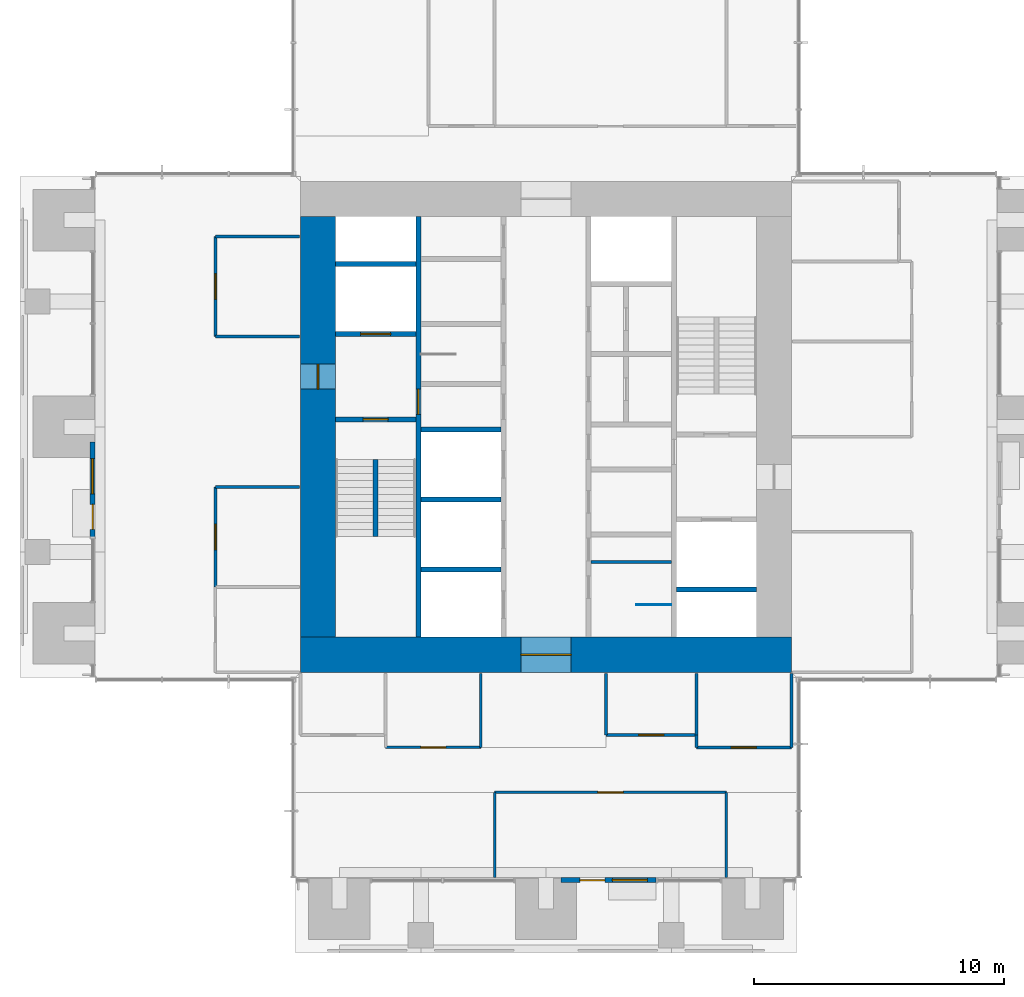
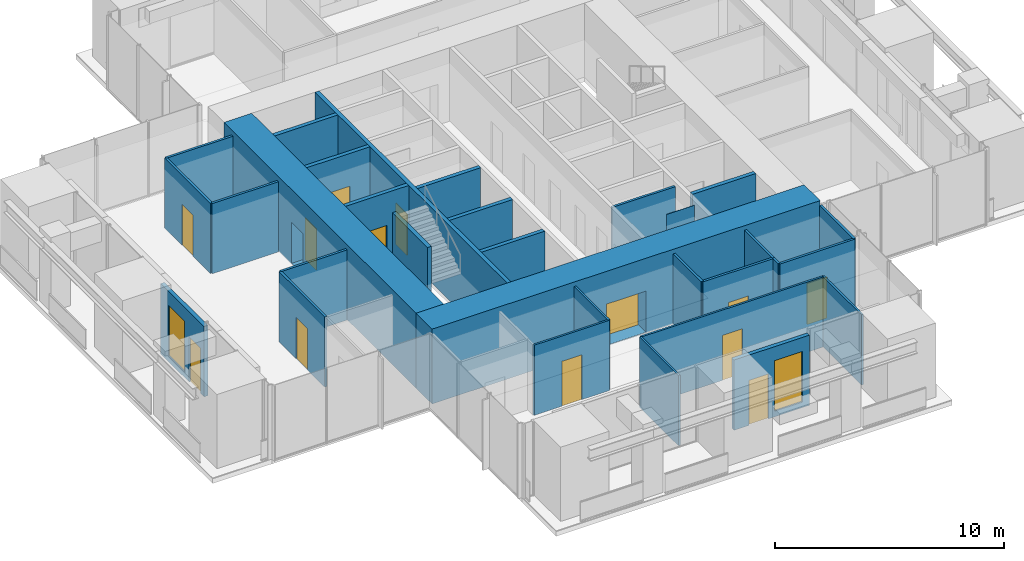
# One storey, part 12 of 17: 31 walls, 13 doors, 2 windows, 15 openings.
"""IFC4 building model written with IfcOpenShell, lengths in metres."""

from ifc_helpers import new_model, si_unit, direction, frame, frame_2d, origin, place, context, subcontext, project, spatial, rectangle, extrude, material, layer, layer_set, type_object, element, fill, save


model = new_model("IFC4")

# Units and contexts
model_context = context("Model", 3, precision=1e-05, world=origin(), true_north=direction((0.0, 1.0)))
body_context = subcontext(model_context, "Body", "Model", "MODEL_VIEW")
ifc_project = project(units=[si_unit("LENGTHUNIT", "METRE"), si_unit("AREAUNIT", "SQUARE_METRE"), si_unit("VOLUMEUNIT", "CUBIC_METRE"), si_unit("PLANEANGLEUNIT", "RADIAN"), si_unit("MASSUNIT", "GRAM", prefix="KILO")], contexts=[model_context])

# Site, building, storey
site_placement = place(None, origin())
site = spatial("IfcSite", under=ifc_project, at=site_placement, CompositionType="ELEMENT")
building_placement = place(site_placement, origin())
building = spatial("IfcBuilding", under=site, at=building_placement, Name="Svetlomir Tower", CompositionType="ELEMENT")
storey_placement = place(building_placement, frame((0.0, 0.0, 194.5)))
storey = spatial("IfcBuildingStorey", under=building, at=storey_placement, Name="L46", CompositionType="ELEMENT", Elevation=194.5)

# Wall, openings, door, window
ifc_material_1 = material(Name="Bronze anodised aluminium glazed screen", Category="aluminium")
ifc_layer_1 = layer(ifc_material_1, 0.199951171875)
ifc_layer_set_1 = layer_set([ifc_layer_1], Name="Bronze anodised aluminium glazed screen")
wall_type_1 = type_object("IfcWallType", Name="BALCONY SCREEN WALL 200", PredefinedType="USERDEFINED", material=ifc_layer_set_1)
wall_1_placement = place(storey_placement, frame((21.60009765625, 2.89990234375, 0.0), z_axis=(0.0, 0.0, 1.0), x_axis=(1.0, 0.0, 0.0)))
wall_1 = element("IfcWall", 1, at=wall_1_placement, inside=storey, type_object=wall_type_1, Name="Balcony screen S", ObjectType="GLAZED SCREEN", PredefinedType="USERDEFINED", context=body_context, shape_type="SweptSolid", body=[
    extrude(rectangle(XDim=3.7998046875, YDim=0.199951171875, at=frame_2d((1.89990234375, 0.0))), origin(), (0.0, 0.0, 1.0), 3.75),
])
opening_1_placement = place(wall_1_placement, frame((0.75, 0.0, 0.0)))
opening_1 = element("IfcOpeningElement", 2, at=opening_1_placement, cuts=wall_1, Name="Opening BD", PredefinedType="OPENING", context=body_context, shape_type="SweptSolid", body=[
    extrude(rectangle(XDim=1.0, YDim=2.39990234375, at=frame_2d((0.5, 1.199951171875))), frame((0.0, 0.10986328125, 0.0), z_axis=(0.0, -1.0, 0.0), x_axis=(1.0, 0.0, 0.0)), (0.0, 0.0, 1.0), 0.219970703125),
])
opening_2_placement = place(wall_1_placement, frame((2.050048828125, 0.0, 0.300048828125)))
opening_2 = element("IfcOpeningElement", 3, at=opening_2_placement, cuts=wall_1, Name="Opening WS2", PredefinedType="OPENING", context=body_context, shape_type="SweptSolid", body=[
    extrude(rectangle(XDim=1.39990234375, YDim=2.699951171875, at=frame_2d((0.699951171875, 1.35009765625))), frame((0.0, 0.10986328125, 0.0), z_axis=(0.0, -1.0, 0.0), x_axis=(1.0, 0.0, 0.0)), (0.0, 0.0, 1.0), 0.219970703125),
])
ifc_material_2 = material(Name="Bronze anodised aluminium glazed door", Category="aluminium")
door_type_1 = type_object("IfcDoorType", Name="BALCONY DOOR BD 1000x2400", OperationType="SINGLE_SWING_LEFT", PredefinedType="DOOR", material=ifc_material_2)
door_1_placement = place(opening_1_placement, origin())
door_1 = element("IfcDoor", 4, at=door_1_placement, inside=storey, type_object=door_type_1, Name="Balcony screen S door", OperationType="SINGLE_SWING_LEFT", OverallHeight=2.39990234375, OverallWidth=1.0, PredefinedType="DOOR", context=body_context, shape_type="SweptSolid", body=[
    extrude(rectangle(XDim=1.0, YDim=2.39990234375, at=frame_2d((0.5, 1.199951171875))), frame((0.0, 0.02490234375, 0.0), z_axis=(0.0, -1.0, 0.0), x_axis=(1.0, 0.0, 0.0)), (0.0, 0.0, 1.0), 0.050048828125),
])
fill(opening_1, door_1)
ifc_material_3 = material(Name="Bronze anodised aluminium window", Category="aluminium")
window_type = type_object("IfcWindowType", Name="SCREEN WINDOW WS2 1400x2700", PartitioningType="SINGLE_PANEL", PredefinedType="WINDOW", material=ifc_material_3)
window_1_placement = place(opening_2_placement, origin())
window_1 = element("IfcWindow", 5, at=window_1_placement, inside=storey, type_object=window_type, Name="Balcony screen S window 1", OverallHeight=2.699951171875, OverallWidth=1.39990234375, PartitioningType="SINGLE_PANEL", PredefinedType="WINDOW", context=body_context, shape_type="SweptSolid", body=[
    extrude(rectangle(XDim=1.39990234375, YDim=2.699951171875, at=frame_2d((0.699951171875, 1.35009765625))), frame((0.0, 0.030029296875, 0.0), z_axis=(0.0, -1.0, 0.0), x_axis=(1.0, 0.0, 0.0)), (0.0, 0.0, 1.0), 0.06005859375),
])
fill(opening_2, window_1)

wall_2_placement = place(storey_placement, frame((2.89990234375, 20.39990234375, 0.0), z_axis=(0.0, 0.0, 1.0), x_axis=(0.0, -1.0, 0.0)))
wall_2 = element("IfcWall", 6, at=wall_2_placement, inside=storey, type_object=wall_type_1, Name="Balcony screen W", ObjectType="GLAZED SCREEN", PredefinedType="USERDEFINED", context=body_context, shape_type="SweptSolid", body=[
    extrude(rectangle(XDim=3.7998046875, YDim=0.199951171875, at=frame_2d((1.89990234375, 0.0))), origin(), (0.0, 0.0, 1.0), 3.75),
])
opening_3_placement = place(wall_2_placement, frame((2.5, 0.0, 0.0)))
opening_3 = element("IfcOpeningElement", 7, at=opening_3_placement, cuts=wall_2, Name="Opening BD", PredefinedType="OPENING", context=body_context, shape_type="SweptSolid", body=[
    extrude(rectangle(XDim=1.0, YDim=2.39990234375, at=frame_2d((0.5, 1.199951171875))), frame((0.0, 0.10986328125, 0.0), z_axis=(0.0, -1.0, 0.0), x_axis=(1.0, 0.0, 0.0)), (0.0, 0.0, 1.0), 0.219970703125),
])
opening_4_placement = place(wall_2_placement, frame((0.675048828125, 0.0, 0.300048828125)))
opening_4 = element("IfcOpeningElement", 8, at=opening_4_placement, cuts=wall_2, Name="Opening WS2", PredefinedType="OPENING", context=body_context, shape_type="SweptSolid", body=[
    extrude(rectangle(XDim=1.39990234375, YDim=2.699951171875, at=frame_2d((0.699951171875, 1.35009765625))), frame((0.0, 0.10986328125, 0.0), z_axis=(0.0, -1.0, 0.0), x_axis=(1.0, 0.0, 0.0)), (0.0, 0.0, 1.0), 0.219970703125),
])
door_2_placement = place(opening_3_placement, origin())
door_2 = element("IfcDoor", 9, at=door_2_placement, inside=storey, type_object=door_type_1, Name="Balcony screen W door", OperationType="SINGLE_SWING_LEFT", OverallHeight=2.39990234375, OverallWidth=1.0, PredefinedType="DOOR", context=body_context, shape_type="SweptSolid", body=[
    extrude(rectangle(XDim=1.0, YDim=2.39990234375, at=frame_2d((0.5, 1.199951171875))), frame((0.0, 0.02490234375, 0.0), z_axis=(0.0, -1.0, 0.0), x_axis=(1.0, 0.0, 0.0)), (0.0, 0.0, 1.0), 0.050048828125),
])
fill(opening_3, door_2)
window_2_placement = place(opening_4_placement, origin())
window_2 = element("IfcWindow", 10, at=window_2_placement, inside=storey, type_object=window_type, Name="Balcony screen W window 1", OverallHeight=2.699951171875, OverallWidth=1.39990234375, PartitioningType="SINGLE_PANEL", PredefinedType="WINDOW", context=body_context, shape_type="SweptSolid", body=[
    extrude(rectangle(XDim=1.39990234375, YDim=2.699951171875, at=frame_2d((0.699951171875, 1.35009765625))), frame((0.0, 0.030029296875, 0.0), z_axis=(0.0, -1.0, 0.0), x_axis=(1.0, 0.0, 0.0)), (0.0, 0.0, 1.0), 0.06005859375),
])
fill(opening_4, window_2)

# Wall, opening, door
ifc_material_4 = material(Name="Concrete C60/75", Category="concrete")
ifc_layer_2 = layer(ifc_material_4, 0.199951171875)
ifc_layer_set_2 = layer_set([ifc_layer_2], Name="Concrete C60/75")
wall_type_2 = type_object("IfcWallType", Name="CORE INNER WALL 200", PredefinedType="SHEAR", material=ifc_layer_set_2)
wall_3_placement = place(storey_placement, frame((15.89990234375, 12.60009765625, -0.050048828125), z_axis=(0.0, 0.0, 1.0), x_axis=(0.0, 1.0, 0.0)))
wall_3 = element("IfcWall", 11, at=wall_3_placement, inside=storey, type_object=wall_type_2, Name="Core inner wall 15.9 L46", PredefinedType="SHEAR", context=body_context, shape_type="SweptSolid", body=[
    extrude(rectangle(XDim=16.7998046875, YDim=0.199951171875, at=frame_2d((8.39990234375, 0.0))), origin(), (0.0, 0.0, 1.0), 4.0),
])
opening_5_placement = place(wall_3_placement, frame((8.89990234375, 0.0, 0.050048828125)))
opening_5 = element("IfcOpeningElement", 12, at=opening_5_placement, cuts=wall_3, Name="Opening DF", PredefinedType="OPENING", context=body_context, shape_type="SweptSolid", body=[
    extrude(rectangle(XDim=1.0, YDim=2.199951171875, at=frame_2d((0.5, 1.10009765625))), frame((0.0, 0.10986328125, 0.0), z_axis=(0.0, -1.0, 0.0), x_axis=(1.0, 0.0, 0.0)), (0.0, 0.0, 1.0), 0.219970703125),
])
ifc_material_5 = material(Name="Steel fire door", Category="steel")
door_type_2 = type_object("IfcDoorType", Name="DOOR DF 1000x2200", OperationType="SINGLE_SWING_LEFT", PredefinedType="DOOR", material=ifc_material_5)
door_3_placement = place(opening_5_placement, origin())
door_3 = element("IfcDoor", 13, at=door_3_placement, inside=storey, type_object=door_type_2, Name="Core corridor west door L46", OperationType="SINGLE_SWING_LEFT", OverallHeight=2.199951171875, OverallWidth=1.0, PredefinedType="DOOR", context=body_context, shape_type="SweptSolid", body=[
    extrude(rectangle(XDim=1.0, YDim=2.199951171875, at=frame_2d((0.5, 1.10009765625))), frame((0.0, 0.02490234375, 0.0), z_axis=(0.0, -1.0, 0.0), x_axis=(1.0, 0.0, 0.0)), (0.0, 0.0, 1.0), 0.050048828125),
])
fill(opening_5, door_3)

wall_4_placement = place(storey_placement, frame((12.60009765625, 21.300048828125, -0.050048828125), z_axis=(0.0, 0.0, 1.0), x_axis=(1.0, 0.0, 0.0)))
wall_4 = element("IfcWall", 14, at=wall_4_placement, inside=storey, type_object=wall_type_2, Name="Core inner wall 12.6-15.8/21.3 L46", PredefinedType="SHEAR", context=body_context, shape_type="SweptSolid", body=[
    extrude(rectangle(XDim=3.199951171875, YDim=0.199951171875, at=frame_2d((1.60009765625, 0.0))), origin(), (0.0, 0.0, 1.0), 4.0),
])
opening_6_placement = place(wall_4_placement, frame((1.10009765625, 0.0, 0.050048828125)))
opening_6 = element("IfcOpeningElement", 15, at=opening_6_placement, cuts=wall_4, Name="Opening DF", PredefinedType="OPENING", context=body_context, shape_type="SweptSolid", body=[
    extrude(rectangle(XDim=1.0, YDim=2.199951171875, at=frame_2d((0.5, 1.10009765625))), frame((0.0, 0.10986328125, 0.0), z_axis=(0.0, -1.0, 0.0), x_axis=(1.0, 0.0, 0.0)), (0.0, 0.0, 1.0), 0.219970703125),
])
door_4_placement = place(opening_6_placement, origin())
door_4 = element("IfcDoor", 16, at=door_4_placement, inside=storey, type_object=door_type_2, Name="Stair S1 door L46", OperationType="SINGLE_SWING_RIGHT", OverallHeight=2.199951171875, OverallWidth=1.0, PredefinedType="DOOR", context=body_context, shape_type="SweptSolid", body=[
    extrude(rectangle(XDim=1.0, YDim=2.199951171875, at=frame_2d((0.5, 1.10009765625))), frame((0.0, 0.02490234375, 0.0), z_axis=(0.0, -1.0, 0.0), x_axis=(1.0, 0.0, 0.0)), (0.0, 0.0, 1.0), 0.050048828125),
])
fill(opening_6, door_4)

wall_5_placement = place(storey_placement, frame((12.60009765625, 24.699951171875, -0.050048828125), z_axis=(0.0, 0.0, 1.0), x_axis=(1.0, 0.0, 0.0)))
wall_5 = element("IfcWall", 17, at=wall_5_placement, inside=storey, type_object=wall_type_2, Name="Core inner wall 12.6-15.8/24.7 L46", PredefinedType="SHEAR", context=body_context, shape_type="SweptSolid", body=[
    extrude(rectangle(XDim=3.199951171875, YDim=0.199951171875, at=frame_2d((1.60009765625, 0.0))), origin(), (0.0, 0.0, 1.0), 4.0),
])
opening_7_placement = place(wall_5_placement, frame((1.0, 0.0, 0.050048828125)))
opening_7 = element("IfcOpeningElement", 18, at=opening_7_placement, cuts=wall_5, Name="Opening LD3", PredefinedType="OPENING", context=body_context, shape_type="SweptSolid", body=[
    extrude(rectangle(XDim=1.199951171875, YDim=2.199951171875, at=frame_2d((0.60009765625, 1.10009765625))), frame((0.0, 0.10986328125, 0.0), z_axis=(0.0, -1.0, 0.0), x_axis=(1.0, 0.0, 0.0)), (0.0, 0.0, 1.0), 0.219970703125),
])
ifc_material_6 = material(Name="Stainless steel fire-rated landing door", Category="steel")
door_type_3 = type_object("IfcDoorType", Name="FIREFIGHTING LIFT LANDING DOOR LD3 1200x2200", OperationType="DOUBLE_DOOR_SLIDING", PredefinedType="DOOR", material=ifc_material_6)
door_5_placement = place(opening_7_placement, origin())
door_5 = element("IfcDoor", 19, at=door_5_placement, inside=storey, type_object=door_type_3, Name="Landing door lift FL1 L46", OperationType="DOUBLE_DOOR_SLIDING", OverallHeight=2.199951171875, OverallWidth=1.199951171875, PredefinedType="DOOR", context=body_context, shape_type="SweptSolid", body=[
    extrude(rectangle(XDim=1.199951171875, YDim=2.199951171875, at=frame_2d((0.60009765625, 1.10009765625))), frame((0.0, 0.02490234375, 0.0), z_axis=(0.0, -1.0, 0.0), x_axis=(1.0, 0.0, 0.0)), (0.0, 0.0, 1.0), 0.050048828125),
])
fill(opening_7, door_5)

# Walls
for number, where, z_axis, x_axis, name in (
    (20, (12.60009765625, 27.5, -0.050048828125), (0.0, 0.0, 1.0), (1.0, 0.0, 0.0), "Core inner wall 12.6-15.8/27.5 L46"),
    (21, (16.0, 15.300048828125, -0.050048828125), (0.0, 0.0, 1.0), (1.0, 0.0, 0.0), "Core inner wall 16-19.2/15.3 L46"),
    (22, (16.0, 18.10009765625, -0.050048828125), (0.0, 0.0, 1.0), (1.0, 0.0, 0.0), "Core inner wall 16-19.2/18.1 L46"),
    (23, (16.0, 20.89990234375, -0.050048828125), (0.0, 0.0, 1.0), (1.0, 0.0, 0.0), "Core inner wall 16-19.2/20.9 L46"),
    (24, (26.199951171875, 14.5, -0.050048828125), (0.0, 0.0, 1.0), (1.0, 0.0, 0.0), "Core inner wall 26.2-29.4/14.5 L46"),
):
    element("IfcWall", number, at=place(storey_placement, frame(where, z_axis=z_axis, x_axis=x_axis)), inside=storey, type_object=wall_type_2, Name=name, PredefinedType="SHEAR", context=body_context, shape_type="SweptSolid", body=[
        extrude(rectangle(XDim=3.199951171875, YDim=0.199951171875, at=frame_2d((1.60009765625, 0.0))), origin(), (0.0, 0.0, 1.0), 4.0),
    ])

# Wall, opening, door
ifc_material_7 = material(Name="Concrete C60/75", Category="concrete")
ifc_layer_3 = layer(ifc_material_7, 1.39990234375)
ifc_layer_set_3 = layer_set([ifc_layer_3], Name="Concrete C60/75")
wall_type_3 = type_object("IfcWallType", Name="CORE WALL 1400", PredefinedType="SHEAR", material=ifc_layer_set_3)
wall_6_placement = place(storey_placement, frame((11.199951171875, 11.89990234375, -0.050048828125), z_axis=(0.0, 0.0, 1.0), x_axis=(1.0, 0.0, 0.0)))
wall_6 = element("IfcWall", 25, at=wall_6_placement, inside=storey, type_object=wall_type_3, Name="Core wall south L46", PredefinedType="SHEAR", context=body_context, shape_type="SweptSolid", body=[
    extrude(rectangle(XDim=19.60009765625, YDim=1.39990234375, at=frame_2d((9.800048828125, 0.0))), origin(), (0.0, 0.0, 1.0), 4.0),
])
opening_8_placement = place(wall_6_placement, frame((8.800048828125, 0.0, 0.050048828125)))
opening_8 = element("IfcOpeningElement", 26, at=opening_8_placement, cuts=wall_6, Name="Opening DL", PredefinedType="OPENING", context=body_context, shape_type="SweptSolid", body=[
    extrude(rectangle(XDim=2.0, YDim=2.199951171875, at=frame_2d((1.0, 1.10009765625))), frame((0.0, 0.7099609375, 0.0), z_axis=(0.0, -1.0, 0.0), x_axis=(1.0, 0.0, 0.0)), (0.0, 0.0, 1.0), 1.419921875),
])
ifc_material_8 = material(Name="Steel fire door", Category="steel")
door_type_4 = type_object("IfcDoorType", Name="DOOR DL 2000x2200", OperationType="DOUBLE_DOOR_SINGLE_SWING", PredefinedType="DOOR", material=ifc_material_8)
door_6_placement = place(opening_8_placement, origin())
door_6 = element("IfcDoor", 27, at=door_6_placement, inside=storey, type_object=door_type_4, Name="Lift lobby south door L46", OperationType="DOUBLE_DOOR_SINGLE_SWING", OverallHeight=2.199951171875, OverallWidth=2.0, PredefinedType="DOOR", context=body_context, shape_type="SweptSolid", body=[
    extrude(rectangle(XDim=2.0, YDim=2.199951171875, at=frame_2d((1.0, 1.10009765625))), frame((0.0, 0.02490234375, 0.0), z_axis=(0.0, -1.0, 0.0), x_axis=(1.0, 0.0, 0.0)), (0.0, 0.0, 1.0), 0.050048828125),
])
fill(opening_8, door_6)

wall_7_placement = place(storey_placement, frame((11.89990234375, 12.60009765625, -0.050048828125), z_axis=(0.0, 0.0, 1.0), x_axis=(0.0, 1.0, 0.0)))
wall_7 = element("IfcWall", 28, at=wall_7_placement, inside=storey, type_object=wall_type_3, Name="Core wall west L46", PredefinedType="SHEAR", context=body_context, shape_type="SweptSolid", body=[
    extrude(rectangle(XDim=16.7998046875, YDim=1.39990234375, at=frame_2d((8.39990234375, 0.0))), origin(), (0.0, 0.0, 1.0), 4.0),
])
opening_9_placement = place(wall_7_placement, frame((9.89990234375, 0.0, 0.050048828125)))
opening_9 = element("IfcOpeningElement", 29, at=opening_9_placement, cuts=wall_7, Name="Opening DF", PredefinedType="OPENING", context=body_context, shape_type="SweptSolid", body=[
    extrude(rectangle(XDim=1.0, YDim=2.199951171875, at=frame_2d((0.5, 1.10009765625))), frame((0.0, 0.7099609375, 0.0), z_axis=(0.0, -1.0, 0.0), x_axis=(1.0, 0.0, 0.0)), (0.0, 0.0, 1.0), 1.419921875),
])
door_7_placement = place(opening_9_placement, origin())
door_7 = element("IfcDoor", 30, at=door_7_placement, inside=storey, type_object=door_type_2, Name="Firefighting lobby west door L46", OperationType="SINGLE_SWING_RIGHT", OverallHeight=2.199951171875, OverallWidth=1.0, PredefinedType="DOOR", context=body_context, shape_type="SweptSolid", body=[
    extrude(rectangle(XDim=1.0, YDim=2.199951171875, at=frame_2d((0.5, 1.10009765625))), frame((0.0, 0.02490234375, 0.0), z_axis=(0.0, -1.0, 0.0), x_axis=(1.0, 0.0, 0.0)), (0.0, 0.0, 1.0), 0.050048828125),
])
fill(opening_9, door_7)

ifc_material_9 = material(Name="Framed laminated glass partition", Category="glass")
ifc_layer_4 = layer(ifc_material_9, 0.10009765625)
ifc_layer_set_4 = layer_set([ifc_layer_4], Name="Framed laminated glass partition")
wall_type_4 = type_object("IfcWallType", Name="GLAZED PARTITION 100", PredefinedType="PARTITIONING", material=ifc_layer_set_4)
wall_8_placement = place(storey_placement, frame((14.60009765625, 8.199951171875, 0.0), z_axis=(0.0, 0.0, 1.0), x_axis=(1.0, 0.0, 0.0)))
wall_8 = element("IfcWall", 31, at=wall_8_placement, inside=storey, type_object=wall_type_4, Name="Glazed partition L46", PredefinedType="PARTITIONING", context=body_context, shape_type="SweptSolid", body=[
    extrude(rectangle(XDim=3.7998046875, YDim=0.10009765625, at=frame_2d((1.89990234375, 0.0))), origin(), (0.0, 0.0, 1.0), 3.75),
])
opening_10_placement = place(wall_8_placement, frame((1.39990234375, 0.0, 0.0)))
opening_10 = element("IfcOpeningElement", 32, at=opening_10_placement, cuts=wall_8, Name="Opening DG", PredefinedType="OPENING", context=body_context, shape_type="SweptSolid", body=[
    extrude(rectangle(XDim=1.0, YDim=2.39990234375, at=frame_2d((0.5, 1.199951171875))), frame((0.0, 0.06005859375, 0.0), z_axis=(0.0, -1.0, 0.0), x_axis=(1.0, 0.0, 0.0)), (0.0, 0.0, 1.0), 0.1201171875),
])
ifc_material_10 = material(Name="Framed laminated glass door", Category="glass")
door_type_5 = type_object("IfcDoorType", Name="GLAZED DOOR DG 1000x2400", OperationType="SINGLE_SWING_LEFT", PredefinedType="DOOR", material=ifc_material_10)
door_8_placement = place(opening_10_placement, origin())
door_8 = element("IfcDoor", 33, at=door_8_placement, inside=storey, type_object=door_type_5, Name="Meeting room, 4 seats door L46", OperationType="SINGLE_SWING_RIGHT", OverallHeight=2.39990234375, OverallWidth=1.0, PredefinedType="DOOR", context=body_context, shape_type="SweptSolid", body=[
    extrude(rectangle(XDim=1.0, YDim=2.39990234375, at=frame_2d((0.5, 1.199951171875))), frame((0.0, 0.02490234375, 0.0), z_axis=(0.0, -1.0, 0.0), x_axis=(1.0, 0.0, 0.0)), (0.0, 0.0, 1.0), 0.050048828125),
])
fill(opening_10, door_8)

# Walls
wall_9_placement = place(storey_placement, frame((18.39990234375, 8.199951171875, 0.0), z_axis=(0.0, 0.0, 1.0), x_axis=(0.0, 1.0, 0.0)))
element("IfcWall", 34, at=wall_9_placement, inside=storey, type_object=wall_type_4, Name="Glazed partition L46", PredefinedType="PARTITIONING", context=body_context, shape_type="SweptSolid", body=[
    extrude(rectangle(XDim=2.949951171875, YDim=0.10009765625, at=frame_2d((1.47509765625, 0.0))), origin(), (0.0, 0.0, 1.0), 3.75),
])
wall_10_placement = place(storey_placement, frame((18.949951171875, 3.0, 0.0), z_axis=(0.0, 0.0, 1.0), x_axis=(0.0, 1.0, 0.0)))
element("IfcWall", 35, at=wall_10_placement, inside=storey, type_object=wall_type_4, Name="Glazed partition L46", PredefinedType="PARTITIONING", context=body_context, shape_type="SweptSolid", body=[
    extrude(rectangle(XDim=3.39990234375, YDim=0.10009765625, at=frame_2d((1.699951171875, 0.0))), origin(), (0.0, 0.0, 1.0), 3.75),
])

# Wall, opening, door
wall_11_placement = place(storey_placement, frame((18.949951171875, 6.39990234375, 0.0), z_axis=(0.0, 0.0, 1.0), x_axis=(1.0, 0.0, 0.0)))
wall_11 = element("IfcWall", 36, at=wall_11_placement, inside=storey, type_object=wall_type_4, Name="Glazed partition L46", PredefinedType="PARTITIONING", context=body_context, shape_type="SweptSolid", body=[
    extrude(rectangle(XDim=9.25, YDim=0.10009765625, at=frame_2d((4.625, 0.0))), origin(), (0.0, 0.0, 1.0), 3.75),
])
opening_11_placement = place(wall_11_placement, frame((4.125, 0.0, 0.0)))
opening_11 = element("IfcOpeningElement", 37, at=opening_11_placement, cuts=wall_11, Name="Opening DG", PredefinedType="OPENING", context=body_context, shape_type="SweptSolid", body=[
    extrude(rectangle(XDim=1.0, YDim=2.39990234375, at=frame_2d((0.5, 1.199951171875))), frame((0.0, 0.06005859375, 0.0), z_axis=(0.0, -1.0, 0.0), x_axis=(1.0, 0.0, 0.0)), (0.0, 0.0, 1.0), 0.1201171875),
])
door_9_placement = place(opening_11_placement, origin())
door_9 = element("IfcDoor", 38, at=door_9_placement, inside=storey, type_object=door_type_5, Name="Loggia break-out and kitchenette door L46", OperationType="SINGLE_SWING_LEFT", OverallHeight=2.39990234375, OverallWidth=1.0, PredefinedType="DOOR", context=body_context, shape_type="SweptSolid", body=[
    extrude(rectangle(XDim=1.0, YDim=2.39990234375, at=frame_2d((0.5, 1.199951171875))), frame((0.0, 0.02490234375, 0.0), z_axis=(0.0, -1.0, 0.0), x_axis=(1.0, 0.0, 0.0)), (0.0, 0.0, 1.0), 0.050048828125),
])
fill(opening_11, door_9)

# Walls
wall_12_placement = place(storey_placement, frame((28.199951171875, 3.0, 0.0), z_axis=(0.0, 0.0, 1.0), x_axis=(0.0, 1.0, 0.0)))
element("IfcWall", 39, at=wall_12_placement, inside=storey, type_object=wall_type_4, Name="Glazed partition L46", PredefinedType="PARTITIONING", context=body_context, shape_type="SweptSolid", body=[
    extrude(rectangle(XDim=3.39990234375, YDim=0.10009765625, at=frame_2d((1.699951171875, 0.0))), origin(), (0.0, 0.0, 1.0), 3.75),
])
ifc_material_11 = material(Name="Gypsum board on steel studs", Category="steel")
ifc_layer_5 = layer(ifc_material_11, 0.1201171875)
ifc_layer_set_5 = layer_set([ifc_layer_5], Name="Gypsum board on steel studs")
wall_type_5 = type_object("IfcWallType", Name="PARTITION 120", PredefinedType="PARTITIONING", material=ifc_layer_set_5)
wall_13_placement = place(storey_placement, frame((22.800048828125, 15.60009765625, 0.0), z_axis=(0.0, 0.0, 1.0), x_axis=(1.0, 0.0, 0.0)))
element("IfcWall", 40, at=wall_13_placement, inside=storey, type_object=wall_type_5, Name="Shower room partition L46", PredefinedType="PARTITIONING", context=body_context, shape_type="SweptSolid", body=[
    extrude(rectangle(XDim=3.199951171875, YDim=0.1201171875, at=frame_2d((1.60009765625, 0.0))), origin(), (0.0, 0.0, 1.0), 3.75),
])

# Wall, opening, door
wall_14_placement = place(storey_placement, frame((7.800048828125, 14.60009765625, 0.0), z_axis=(0.0, 0.0, 1.0), x_axis=(0.0, 1.0, 0.0)))
wall_14 = element("IfcWall", 41, at=wall_14_placement, inside=storey, type_object=wall_type_5, Name="Partition L46", PredefinedType="PARTITIONING", context=body_context, shape_type="SweptSolid", body=[
    extrude(rectangle(XDim=4.0, YDim=0.1201171875, at=frame_2d((2.0, 0.0))), origin(), (0.0, 0.0, 1.0), 3.75),
])
opening_12_placement = place(wall_14_placement, frame((1.5, 0.0, 0.0)))
opening_12 = element("IfcOpeningElement", 42, at=opening_12_placement, cuts=wall_14, Name="Opening DR", PredefinedType="OPENING", context=body_context, shape_type="SweptSolid", body=[
    extrude(rectangle(XDim=1.0, YDim=2.199951171875, at=frame_2d((0.5, 1.10009765625))), frame((0.0, 0.070068359375, 0.0), z_axis=(0.0, -1.0, 0.0), x_axis=(1.0, 0.0, 0.0)), (0.0, 0.0, 1.0), 0.14013671875),
])
ifc_material_12 = material(Name="Timber door, glazed side light", Category="wood")
door_type_6 = type_object("IfcDoorType", Name="DOOR DR 1000x2200", OperationType="SINGLE_SWING_LEFT", PredefinedType="DOOR", material=ifc_material_12)
door_10_placement = place(opening_12_placement, origin())
door_10 = element("IfcDoor", 43, at=door_10_placement, inside=storey, type_object=door_type_6, Name="Team leader office door L46", OperationType="SINGLE_SWING_RIGHT", OverallHeight=2.199951171875, OverallWidth=1.0, PredefinedType="DOOR", context=body_context, shape_type="SweptSolid", body=[
    extrude(rectangle(XDim=1.0, YDim=2.199951171875, at=frame_2d((0.5, 1.10009765625))), frame((0.0, 0.02490234375, 0.0), z_axis=(0.0, -1.0, 0.0), x_axis=(1.0, 0.0, 0.0)), (0.0, 0.0, 1.0), 0.050048828125),
])
fill(opening_12, door_10)

# Wall
wall_15_placement = place(storey_placement, frame((7.800048828125, 18.60009765625, 0.0), z_axis=(0.0, 0.0, 1.0), x_axis=(1.0, 0.0, 0.0)))
element("IfcWall", 44, at=wall_15_placement, inside=storey, type_object=wall_type_5, Name="Partition L46", PredefinedType="PARTITIONING", context=body_context, shape_type="SweptSolid", body=[
    extrude(rectangle(XDim=3.349853515625, YDim=0.1201171875, at=frame_2d((1.6748046875, 0.0))), origin(), (0.0, 0.0, 1.0), 3.75),
])

# Wall, opening, door
wall_16_placement = place(storey_placement, frame((7.800048828125, 24.60009765625, 0.0), z_axis=(0.0, 0.0, 1.0), x_axis=(0.0, 1.0, 0.0)))
wall_16 = element("IfcWall", 45, at=wall_16_placement, inside=storey, type_object=wall_type_5, Name="Partition L46", PredefinedType="PARTITIONING", context=body_context, shape_type="SweptSolid", body=[
    extrude(rectangle(XDim=4.0, YDim=0.1201171875, at=frame_2d((2.0, 0.0))), origin(), (0.0, 0.0, 1.0), 3.75),
])
opening_13_placement = place(wall_16_placement, frame((1.5, 0.0, 0.0)))
opening_13 = element("IfcOpeningElement", 46, at=opening_13_placement, cuts=wall_16, Name="Opening DR", PredefinedType="OPENING", context=body_context, shape_type="SweptSolid", body=[
    extrude(rectangle(XDim=1.0, YDim=2.199951171875, at=frame_2d((0.5, 1.10009765625))), frame((0.0, 0.070068359375, 0.0), z_axis=(0.0, -1.0, 0.0), x_axis=(1.0, 0.0, 0.0)), (0.0, 0.0, 1.0), 0.14013671875),
])
door_11_placement = place(opening_13_placement, origin())
door_11 = element("IfcDoor", 47, at=door_11_placement, inside=storey, type_object=door_type_6, Name="Claims handlers office door L46", OperationType="SINGLE_SWING_LEFT", OverallHeight=2.199951171875, OverallWidth=1.0, PredefinedType="DOOR", context=body_context, shape_type="SweptSolid", body=[
    extrude(rectangle(XDim=1.0, YDim=2.199951171875, at=frame_2d((0.5, 1.10009765625))), frame((0.0, 0.02490234375, 0.0), z_axis=(0.0, -1.0, 0.0), x_axis=(1.0, 0.0, 0.0)), (0.0, 0.0, 1.0), 0.050048828125),
])
fill(opening_13, door_11)

# Walls
for number, where, z_axis, x_axis, name in (
    (48, (7.800048828125, 24.60009765625, 0.0), (0.0, 0.0, 1.0), (1.0, 0.0, 0.0), "Partition L46"),
    (49, (7.800048828125, 28.60009765625, 0.0), (0.0, 0.0, 1.0), (1.0, 0.0, 0.0), "Partition L46"),
):
    element("IfcWall", number, at=place(storey_placement, frame(where, z_axis=z_axis, x_axis=x_axis)), inside=storey, type_object=wall_type_5, Name=name, PredefinedType="PARTITIONING", context=body_context, shape_type="SweptSolid", body=[
        extrude(rectangle(XDim=3.349853515625, YDim=0.1201171875, at=frame_2d((1.6748046875, 0.0))), origin(), (0.0, 0.0, 1.0), 3.75),
    ])
wall_17_placement = place(storey_placement, frame((23.39990234375, 8.699951171875, 0.0), z_axis=(0.0, 0.0, 1.0), x_axis=(0.0, 1.0, 0.0)))
element("IfcWall", 50, at=wall_17_placement, inside=storey, type_object=wall_type_5, Name="Partition L46", PredefinedType="PARTITIONING", context=body_context, shape_type="SweptSolid", body=[
    extrude(rectangle(XDim=2.449951171875, YDim=0.1201171875, at=frame_2d((1.22509765625, 0.0))), origin(), (0.0, 0.0, 1.0), 3.75),
])

# Wall, opening, door
wall_18_placement = place(storey_placement, frame((23.39990234375, 8.699951171875, 0.0), z_axis=(0.0, 0.0, 1.0), x_axis=(1.0, 0.0, 0.0)))
wall_18 = element("IfcWall", 51, at=wall_18_placement, inside=storey, type_object=wall_type_5, Name="Partition L46", PredefinedType="PARTITIONING", context=body_context, shape_type="SweptSolid", body=[
    extrude(rectangle(XDim=3.60009765625, YDim=0.1201171875, at=frame_2d((1.800048828125, 0.0))), origin(), (0.0, 0.0, 1.0), 3.75),
])
opening_14_placement = place(wall_18_placement, frame((1.300048828125, 0.0, 0.0)))
opening_14 = element("IfcOpeningElement", 52, at=opening_14_placement, cuts=wall_18, Name="Opening DR", PredefinedType="OPENING", context=body_context, shape_type="SweptSolid", body=[
    extrude(rectangle(XDim=1.0, YDim=2.199951171875, at=frame_2d((0.5, 1.10009765625))), frame((0.0, 0.070068359375, 0.0), z_axis=(0.0, -1.0, 0.0), x_axis=(1.0, 0.0, 0.0)), (0.0, 0.0, 1.0), 0.14013671875),
])
door_12_placement = place(opening_14_placement, origin())
door_12 = element("IfcDoor", 53, at=door_12_placement, inside=storey, type_object=door_type_6, Name="Store door L46", OperationType="SINGLE_SWING_LEFT", OverallHeight=2.199951171875, OverallWidth=1.0, PredefinedType="DOOR", context=body_context, shape_type="SweptSolid", body=[
    extrude(rectangle(XDim=1.0, YDim=2.199951171875, at=frame_2d((0.5, 1.10009765625))), frame((0.0, 0.02490234375, 0.0), z_axis=(0.0, -1.0, 0.0), x_axis=(1.0, 0.0, 0.0)), (0.0, 0.0, 1.0), 0.050048828125),
])
fill(opening_14, door_12)

# Wall
wall_19_placement = place(storey_placement, frame((27.0, 8.199951171875, 0.0), z_axis=(0.0, 0.0, 1.0), x_axis=(0.0, 1.0, 0.0)))
element("IfcWall", 54, at=wall_19_placement, inside=storey, type_object=wall_type_5, Name="Partition L46", PredefinedType="PARTITIONING", context=body_context, shape_type="SweptSolid", body=[
    extrude(rectangle(XDim=0.5, YDim=0.1201171875, at=frame_2d((0.25, 0.0))), origin(), (0.0, 0.0, 1.0), 3.75),
])

# Wall, opening, door
wall_20_placement = place(storey_placement, frame((27.0, 8.199951171875, 0.0), z_axis=(0.0, 0.0, 1.0), x_axis=(1.0, 0.0, 0.0)))
wall_20 = element("IfcWall", 55, at=wall_20_placement, inside=storey, type_object=wall_type_5, Name="Partition L46", PredefinedType="PARTITIONING", context=body_context, shape_type="SweptSolid", body=[
    extrude(rectangle(XDim=3.800048828125, YDim=0.1201171875, at=frame_2d((1.89990234375, 0.0))), origin(), (0.0, 0.0, 1.0), 3.75),
])
opening_15_placement = place(wall_20_placement, frame((1.39990234375, 0.0, 0.0)))
opening_15 = element("IfcOpeningElement", 56, at=opening_15_placement, cuts=wall_20, Name="Opening DR", PredefinedType="OPENING", context=body_context, shape_type="SweptSolid", body=[
    extrude(rectangle(XDim=1.0, YDim=2.199951171875, at=frame_2d((0.5, 1.10009765625))), frame((0.0, 0.070068359375, 0.0), z_axis=(0.0, -1.0, 0.0), x_axis=(1.0, 0.0, 0.0)), (0.0, 0.0, 1.0), 0.14013671875),
])
door_13_placement = place(opening_15_placement, origin())
door_13 = element("IfcDoor", 57, at=door_13_placement, inside=storey, type_object=door_type_6, Name="Reinsurance team office door L46", OperationType="SINGLE_SWING_RIGHT", OverallHeight=2.199951171875, OverallWidth=1.0, PredefinedType="DOOR", context=body_context, shape_type="SweptSolid", body=[
    extrude(rectangle(XDim=1.0, YDim=2.199951171875, at=frame_2d((0.5, 1.10009765625))), frame((0.0, 0.02490234375, 0.0), z_axis=(0.0, -1.0, 0.0), x_axis=(1.0, 0.0, 0.0)), (0.0, 0.0, 1.0), 0.050048828125),
])
fill(opening_15, door_13)

# Walls
wall_21_placement = place(storey_placement, frame((27.0, 8.699951171875, 0.0), z_axis=(0.0, 0.0, 1.0), x_axis=(0.0, 1.0, 0.0)))
element("IfcWall", 58, at=wall_21_placement, inside=storey, type_object=wall_type_5, Name="Partition L46", PredefinedType="PARTITIONING", context=body_context, shape_type="SweptSolid", body=[
    extrude(rectangle(XDim=2.449951171875, YDim=0.1201171875, at=frame_2d((1.22509765625, 0.0))), origin(), (0.0, 0.0, 1.0), 3.75),
])
wall_22_placement = place(storey_placement, frame((30.800048828125, 8.199951171875, 0.0), z_axis=(0.0, 0.0, 1.0), x_axis=(0.0, 1.0, 0.0)))
element("IfcWall", 59, at=wall_22_placement, inside=storey, type_object=wall_type_5, Name="Partition L46", PredefinedType="PARTITIONING", context=body_context, shape_type="SweptSolid", body=[
    extrude(rectangle(XDim=2.949951171875, YDim=0.1201171875, at=frame_2d((1.47509765625, 0.0))), origin(), (0.0, 0.0, 1.0), 3.75),
])
ifc_material_13 = material(Name="Concrete C60/75", Category="concrete")
ifc_layer_6 = layer(ifc_material_13, 0.199951171875)
ifc_layer_set_6 = layer_set([ifc_layer_6], Name="Concrete C60/75")
wall_type_6 = type_object("IfcWallType", Name="STAIR SPINE WALL 200", PredefinedType="PARTITIONING", material=ifc_layer_set_6)
wall_23_placement = place(storey_placement, frame((14.199951171875, 16.6201171875, 0.0), z_axis=(0.0, 0.0, 1.0), x_axis=(0.0, 1.0, 0.0)))
element("IfcWall", 60, at=wall_23_placement, inside=storey, type_object=wall_type_6, Name="Stair S1 spine wall L46", PredefinedType="PARTITIONING", context=body_context, shape_type="SweptSolid", body=[
    extrude(rectangle(XDim=3.079833984375, YDim=0.199951171875, at=frame_2d((1.5400390625, 0.0))), origin(), (0.0, 0.0, 1.0), 4.0),
])
ifc_material_14 = material(Name="Compact laminate panel", Category="plastic")
ifc_layer_7 = layer(ifc_material_14, 0.030029296875)
ifc_layer_set_7 = layer_set([ifc_layer_7], Name="Compact laminate panel")
wall_type_7 = type_object("IfcWallType", Name="WC CUBICLE PARTITION 30", PredefinedType="PARTITIONING", material=ifc_layer_set_7)
wall_24_placement = place(storey_placement, frame((24.60009765625, 13.89990234375, 0.0), z_axis=(0.0, 0.0, 1.0), x_axis=(1.0, 0.0, 0.0)))
element("IfcWall", 61, at=wall_24_placement, inside=storey, type_object=wall_type_7, Name="WC cubicle partition L46", PredefinedType="PARTITIONING", context=body_context, shape_type="SweptSolid", body=[
    extrude(rectangle(XDim=1.39990234375, YDim=0.030029296875, at=frame_2d((0.699951171875, 0.0))), origin(), (0.0, 0.0, 1.0), 3.75),
])

save(model, "model.ifc")
